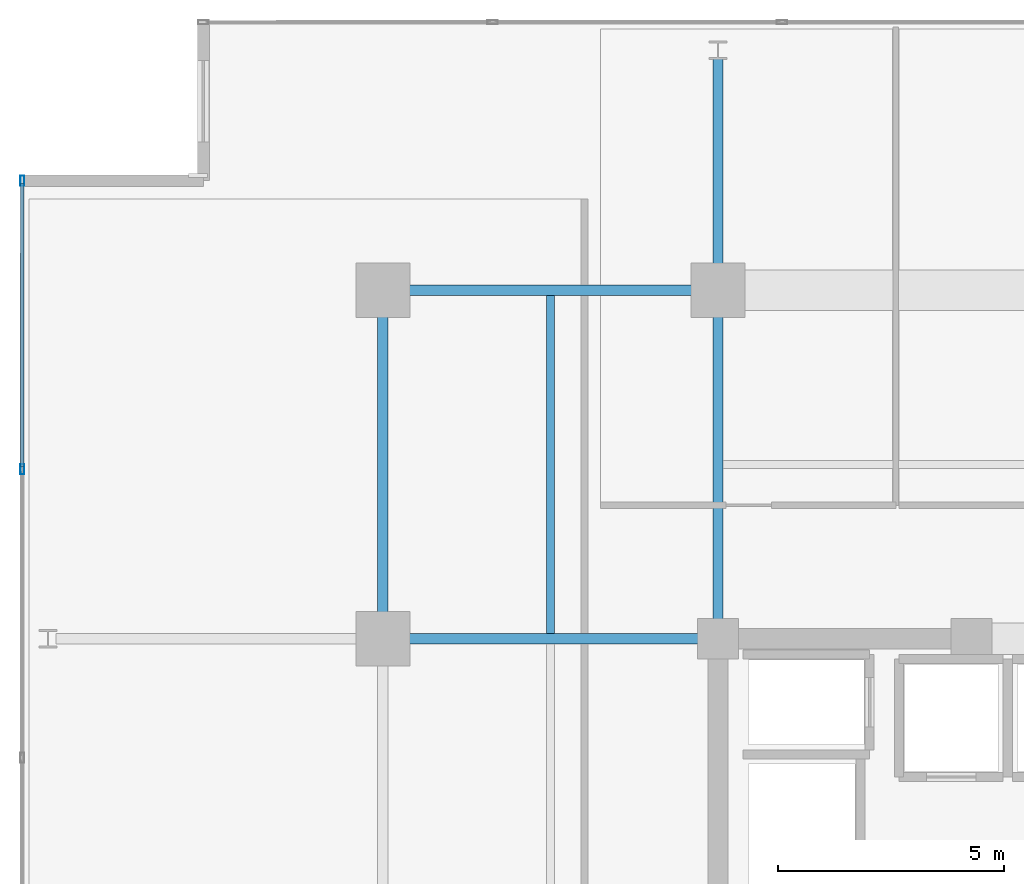
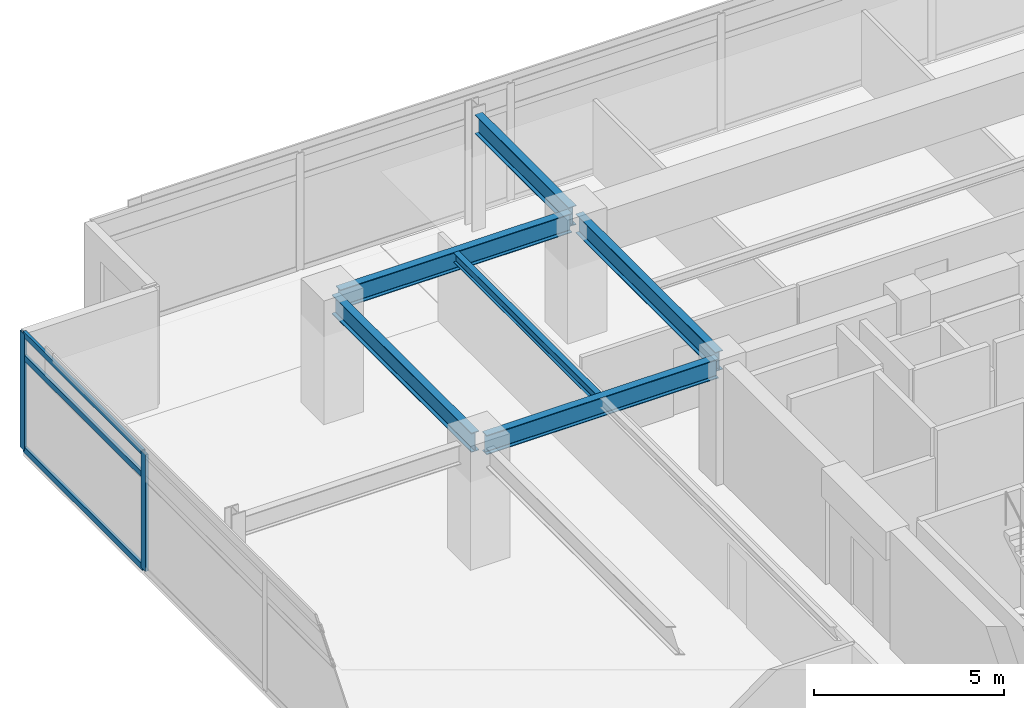
# One storey, part 7 of 24: 6 beams, 5 members, 1 element without a shape of its own.
"""IFC4 building model written with IfcOpenShell, lengths in metres."""

from ifc_helpers import new_model, si_unit, direction, frame, origin, origin_2d, place, context, subcontext, project, spatial, hollow_rectangle, i_section, extrude, material, material_profile, profile_set, type_object, element, aggregate, save


model = new_model("IFC4")

# Units and contexts
model_context = context("Model", 3, precision=1e-05, world=origin(), true_north=direction((0.0, 1.0)))
body_context = subcontext(model_context, "Body", "Model", "MODEL_VIEW")
ifc_project = project(units=[si_unit("LENGTHUNIT", "METRE"), si_unit("AREAUNIT", "SQUARE_METRE"), si_unit("VOLUMEUNIT", "CUBIC_METRE"), si_unit("PLANEANGLEUNIT", "RADIAN"), si_unit("MASSUNIT", "GRAM", prefix="KILO")], contexts=[model_context])

# Site, building, storey
site_placement = place(None, origin())
site = spatial("IfcSite", under=ifc_project, at=site_placement, CompositionType="ELEMENT")
building_placement = place(site_placement, origin())
building = spatial("IfcBuilding", under=site, at=building_placement, Name="Kovane Verandah Tower", CompositionType="ELEMENT")
storey_placement = place(building_placement, frame((0.0, 0.0, 259.199951171875)))
storey = spatial("IfcBuildingStorey", under=building, at=storey_placement, Name="L60", CompositionType="ELEMENT", Elevation=259.199951171875)

# Beams
ifc_material_1 = material(Name="Steel S355", Category="steel")
ifc_material_profile_1 = material_profile(ifc_material_1, i_section(OverallWidth=0.230224609375, OverallDepth=0.6171875, WebThickness=0.01318359375, FlangeThickness=0.022216796875, FilletRadius=0.0126953125, at=origin_2d()), Name="UB610x229x140")
ifc_profile_set_1 = profile_set([ifc_material_profile_1], Name="Steel S355")
beam_type_1 = type_object("IfcBeamType", Name="BM-UB610x140", PredefinedType="BEAM", material=ifc_profile_set_1)
beam_1_placement = place(storey_placement, frame((21.780029296875, 44.199951171875, 3.4765625), z_axis=(1.0, 0.0, 0.0), x_axis=(0.0, 1.0, 0.0)))
element("IfcBeam", 1, at=beam_1_placement, inside=storey, type_object=beam_type_1, Name="L60 Primary Tower Girder G-RN1", PredefinedType="BEAM", context=body_context, shape_type="SweptSolid", body=[
    extrude(i_section(OverallWidth=0.230224609375, OverallDepth=0.6171875, WebThickness=0.01318359375, FlangeThickness=0.022216796875, FilletRadius=0.0126953125, at=origin_2d()), origin(), (0.0, 0.0, 1.0), 7.0400390625),
])
beam_2_placement = place(storey_placement, frame((21.60009765625, 36.679931640625, 3.4765625), z_axis=(0.0, 1.0, 0.0), x_axis=(-1.0, 0.0, 0.0)))
element("IfcBeam", 2, at=beam_2_placement, inside=storey, type_object=beam_type_1, Name="L60 Primary Tower Girder G-RW3", PredefinedType="BEAM", context=body_context, shape_type="SweptSolid", body=[
    extrude(i_section(OverallWidth=0.230224609375, OverallDepth=0.6171875, WebThickness=0.01318359375, FlangeThickness=0.022216796875, FilletRadius=0.0126953125, at=origin_2d()), origin(), (0.0, 0.0, 1.0), 7.340087890625),
])
beam_3_placement = place(storey_placement, frame((28.820068359375, 36.5, 3.4765625), z_axis=(-1.0, 0.0, 0.0), x_axis=(0.0, -1.0, 0.0)))
element("IfcBeam", 3, at=beam_3_placement, inside=storey, type_object=beam_type_1, Name="L60 Primary Tower Girder G-W2", PredefinedType="BEAM", context=body_context, shape_type="SweptSolid", body=[
    extrude(i_section(OverallWidth=0.230224609375, OverallDepth=0.6171875, WebThickness=0.01318359375, FlangeThickness=0.022216796875, FilletRadius=0.0126953125, at=origin_2d()), origin(), (0.0, 0.0, 1.0), 7.0400390625),
])
beam_4_placement = place(storey_placement, frame((29.0, 36.679931640625, 3.4765625), z_axis=(0.0, 1.0, 0.0), x_axis=(-1.0, 0.0, 0.0)))
element("IfcBeam", 4, at=beam_4_placement, inside=storey, type_object=beam_type_1, Name="L60 Primary Tower Girder G-N1", PredefinedType="BEAM", context=body_context, shape_type="SweptSolid", body=[
    extrude(i_section(OverallWidth=0.230224609375, OverallDepth=0.6171875, WebThickness=0.01318359375, FlangeThickness=0.022216796875, FilletRadius=0.0126953125, at=origin_2d()), origin(), (0.0, 0.0, 1.0), 7.340087890625),
])
beam_5_placement = place(storey_placement, frame((29.0, 44.3798828125, 3.451416015625), z_axis=(0.0, 1.0, 0.0), x_axis=(-1.0, 0.0, 0.0)))
element("IfcBeam", 5, at=beam_5_placement, inside=storey, type_object=beam_type_1, Name="L60 Primary Tower Girder G-VN1", PredefinedType="BEAM", context=body_context, shape_type="SweptSolid", body=[
    extrude(i_section(OverallWidth=0.230224609375, OverallDepth=0.6171875, WebThickness=0.01318359375, FlangeThickness=0.022216796875, FilletRadius=0.0126953125, at=origin_2d()), origin(), (0.0, 0.0, 1.0), 4.940185546875),
])

# Curtain wall, members
ifc_material_2 = material(Name="Champagne Anodised Aluminium Frame with Low-E Clear Laminated Glass", Category="aluminium")
curtain_wall_type = type_object("IfcCurtainWallType", Name="CW-SYS-05-HIGH", PredefinedType="NOTDEFINED", material=ifc_material_2)
curtain_wall_placement = place(storey_placement, origin())
curtain_wall = element("IfcCurtainWall", 6, at=curtain_wall_placement, inside=storey, type_object=curtain_wall_type, Name="L60 W Unitised Curtain Wall", PredefinedType="NOTDEFINED")
ifc_material_3 = material(Name="Champagne Anodised Aluminium 6063-T6", Category="aluminium")
ifc_material_profile_2 = material_profile(ifc_material_3, hollow_rectangle(XDim=0.0849609375, YDim=0.22998046875, WallThickness=0.00390625, at=origin_2d()), Name="AL85x230x4")
ifc_profile_set_2 = profile_set([ifc_material_profile_2], Name="Champagne Anodised Aluminium 6063-T6")
member_type_1 = type_object("IfcMemberType", Name="CW-MUL-85x230", PredefinedType="MULLION", material=ifc_profile_set_2)
member_1_placement = place(storey_placement, frame((13.633544921875, 46.6181640625, 0.02001953125), z_axis=(0.0, 0.0, 1.0), x_axis=(-1.0, 0.0, 0.0)))
member_1 = element("IfcMember", 7, at=member_1_placement, type_object=member_type_1, Name="L60 W Unitised Curtain Wall Mullion 1", PredefinedType="MULLION", context=body_context, shape_type="SweptSolid", body=[
    extrude(hollow_rectangle(XDim=0.0849609375, YDim=0.22998046875, WallThickness=0.00390625, at=origin_2d()), origin(), (0.0, 0.0, 1.0), 3.7451171875),
])
member_2_placement = place(storey_placement, frame((13.633544921875, 40.24560546875, 0.02001953125), z_axis=(0.0, 0.0, 1.0), x_axis=(-1.0, 0.0, 0.0)))
member_2 = element("IfcMember", 8, at=member_2_placement, type_object=member_type_1, Name="L60 W Unitised Curtain Wall Mullion 2", PredefinedType="MULLION", context=body_context, shape_type="SweptSolid", body=[
    extrude(hollow_rectangle(XDim=0.0849609375, YDim=0.22998046875, WallThickness=0.00390625, at=origin_2d()), origin(), (0.0, 0.0, 1.0), 3.7451171875),
])
ifc_material_profile_3 = material_profile(ifc_material_3, hollow_rectangle(XDim=0.0849609375, YDim=0.18994140625, WallThickness=0.00390625, at=origin_2d()), Name="AL85x190x4")
ifc_profile_set_3 = profile_set([ifc_material_profile_3], Name="Champagne Anodised Aluminium 6063-T6")
member_type_2 = type_object("IfcMemberType", Name="CW-TRN-85x190", PredefinedType="USERDEFINED", material=ifc_profile_set_3)
member_3_placement = place(storey_placement, frame((13.633544921875, 46.568115234375, 0.050048828125), z_axis=(0.0, -1.0, 0.0), x_axis=(1.0, 0.0, 0.0)))
member_3 = element("IfcMember", 9, at=member_3_placement, type_object=member_type_2, Name="L60 W Unitised Curtain Wall Transom TB Bay 1", ObjectType="TRANSOM", PredefinedType="USERDEFINED", context=body_context, shape_type="SweptSolid", body=[
    extrude(hollow_rectangle(XDim=0.0849609375, YDim=0.18994140625, WallThickness=0.00390625, at=origin_2d()), origin(), (0.0, 0.0, 1.0), 6.272705078125),
])
member_4_placement = place(storey_placement, frame((13.633544921875, 46.568115234375, 3.005126953125), z_axis=(0.0, -1.0, 0.0), x_axis=(1.0, 0.0, 0.0)))
member_4 = element("IfcMember", 10, at=member_4_placement, type_object=member_type_2, Name="L60 W Unitised Curtain Wall Transom TM Bay 1", ObjectType="TRANSOM", PredefinedType="USERDEFINED", context=body_context, shape_type="SweptSolid", body=[
    extrude(hollow_rectangle(XDim=0.0849609375, YDim=0.18994140625, WallThickness=0.00390625, at=origin_2d()), origin(), (0.0, 0.0, 1.0), 6.272705078125),
])
member_5_placement = place(storey_placement, frame((13.633544921875, 46.568115234375, 3.735107421875), z_axis=(0.0, -1.0, 0.0), x_axis=(1.0, 0.0, 0.0)))
member_5 = element("IfcMember", 11, at=member_5_placement, type_object=member_type_2, Name="L60 W Unitised Curtain Wall Transom TT Bay 1", ObjectType="TRANSOM", PredefinedType="USERDEFINED", context=body_context, shape_type="SweptSolid", body=[
    extrude(hollow_rectangle(XDim=0.0849609375, YDim=0.18994140625, WallThickness=0.00390625, at=origin_2d()), origin(), (0.0, 0.0, 1.0), 6.272705078125),
])
aggregate(curtain_wall, [member_1, member_2, member_3, member_4, member_5])

# Beam
ifc_material_profile_4 = material_profile(ifc_material_1, i_section(OverallWidth=0.1669921875, OverallDepth=0.310302734375, WebThickness=0.0078125, FlangeThickness=0.013671875, FilletRadius=0.0087890625, at=origin_2d()), Name="UB305x165x54")
ifc_profile_set_4 = profile_set([ifc_material_profile_4], Name="Steel S355")
beam_type_2 = type_object("IfcBeamType", Name="JST-UB305x54", PredefinedType="JOIST", material=ifc_profile_set_4)
beam_6_placement = place(storey_placement, frame((25.300048828125, 36.613037109375, 3.6298828125), z_axis=(0.0, 1.0, 0.0), x_axis=(-1.0, 0.0, 0.0)))
element("IfcBeam", 12, at=beam_6_placement, inside=storey, type_object=beam_type_2, Name="L60 Secondary Composite Joist J-NW1", PredefinedType="JOIST", context=body_context, shape_type="SweptSolid", body=[
    extrude(i_section(OverallWidth=0.1669921875, OverallDepth=0.310302734375, WebThickness=0.0078125, FlangeThickness=0.013671875, FilletRadius=0.0087890625, at=origin_2d()), origin(), (0.0, 0.0, 1.0), 7.473876953125),
])

save(model, "model.ifc")
